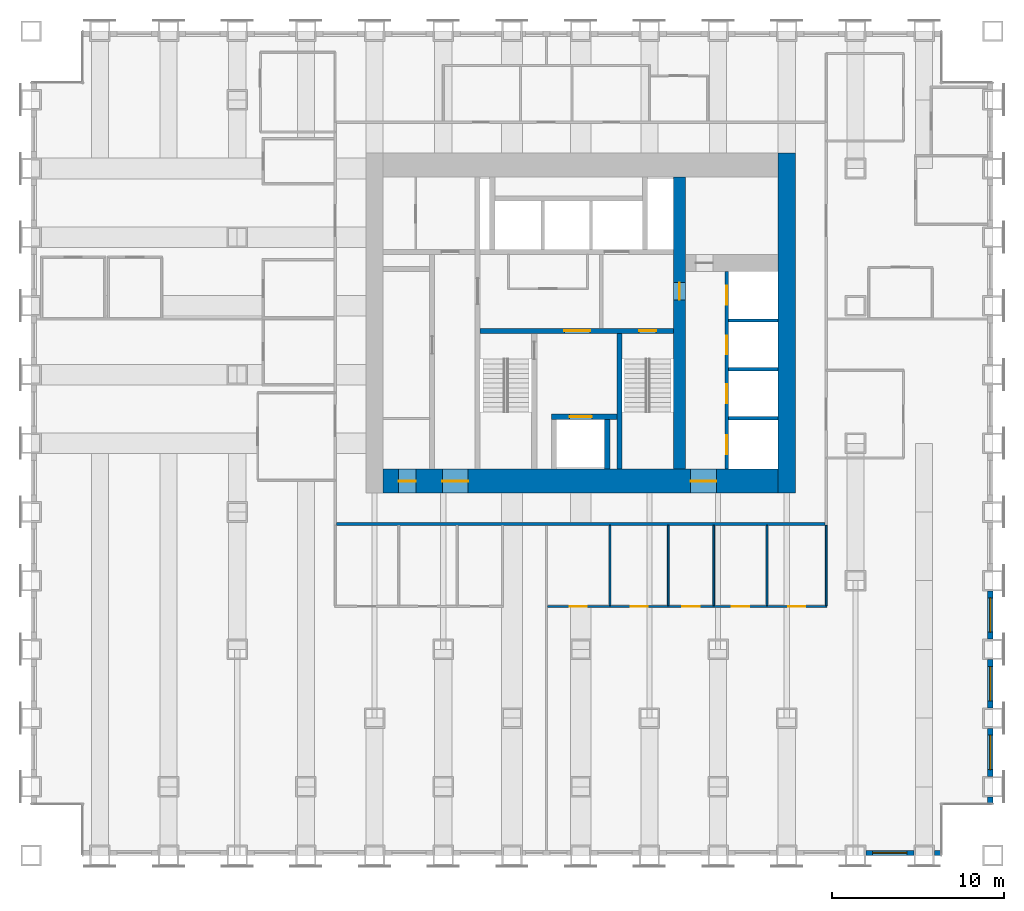
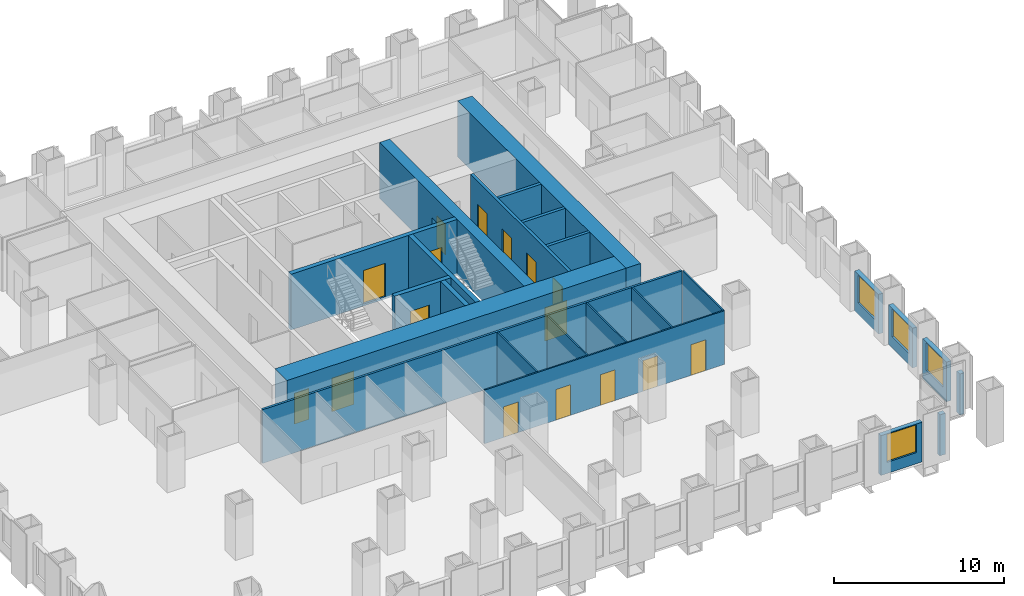
# One storey, part 9 of 14: 24 walls, 16 doors, 4 windows, 20 openings.
"""IFC4 building model written with IfcOpenShell, lengths in metres."""

from ifc_helpers import new_model, si_unit, direction, frame, frame_2d, origin, place, context, subcontext, project, spatial, rectangle, extrude, material, layer, layer_set, type_object, element, fill, save


model = new_model("IFC4")

# Units and contexts
model_context = context("Model", 3, precision=1e-05, world=origin(), true_north=direction((0.0, 1.0)))
body_context = subcontext(model_context, "Body", "Model", "MODEL_VIEW")
ifc_project = project(units=[si_unit("LENGTHUNIT", "METRE"), si_unit("AREAUNIT", "SQUARE_METRE"), si_unit("VOLUMEUNIT", "CUBIC_METRE"), si_unit("PLANEANGLEUNIT", "RADIAN"), si_unit("MASSUNIT", "GRAM", prefix="KILO")], contexts=[model_context])

# Site, building, storey
site_placement = place(None, origin())
site = spatial("IfcSite", under=ifc_project, at=site_placement, CompositionType="ELEMENT")
building_placement = place(site_placement, origin())
building = spatial("IfcBuilding", under=site, at=building_placement, Name="Rimbunsela Tower", CompositionType="ELEMENT")
storey_placement = place(building_placement, frame((0.0, 0.0, 15.0)))
storey = spatial("IfcBuildingStorey", under=building, at=storey_placement, Name="L03", CompositionType="ELEMENT", Elevation=15.0)

# Wall, openings, doors
ifc_material_1 = material(Name="Concrete fc' 80 MPa", Category="concrete")
ifc_layer_1 = layer(ifc_material_1, 0.300048828125)
ifc_layer_set_1 = layer_set([ifc_layer_1], Name="Core internal wall 300")
wall_type_1 = type_object("IfcWallType", Name="Core internal wall 300", PredefinedType="SHEAR", material=ifc_layer_set_1)
wall_1_placement = place(storey_placement, frame((24.14990234375, 26.550048828125, -0.14990234375), z_axis=(0.0, 0.0, 1.0), x_axis=(1.0, 0.0, 0.0)))
wall_1 = element("IfcWall", 1, at=wall_1_placement, inside=storey, type_object=wall_type_1, Name="Core wall lobby south", PredefinedType="SHEAR", context=body_context, shape_type="SweptSolid", body=[
    extrude(rectangle(XDim=11.25, YDim=0.300048828125, at=frame_2d((5.625, 0.0))), origin(), (0.0, 0.0, 1.0), 4.0),
])
opening_1_placement = place(wall_1_placement, frame((9.25, 0.0, 0.14990234375)))
opening_1 = element("IfcOpeningElement", 2, at=opening_1_placement, cuts=wall_1, Name="Opening D01", PredefinedType="OPENING", context=body_context, shape_type="SweptSolid", body=[
    extrude(rectangle(XDim=1.0, YDim=2.199951171875, at=frame_2d((0.5, 1.10009765625))), frame((0.0, 0.159912109375, 0.0), z_axis=(0.0, -1.0, 0.0), x_axis=(1.0, 0.0, 0.0)), (0.0, 0.0, 1.0), 0.320068359375),
])
opening_2_placement = place(wall_1_placement, frame((4.89990234375, 0.0, 0.14990234375)))
opening_2 = element("IfcOpeningElement", 3, at=opening_2_placement, cuts=wall_1, Name="Opening D03", PredefinedType="OPENING", context=body_context, shape_type="SweptSolid", body=[
    extrude(rectangle(XDim=1.5, YDim=2.39990234375, at=frame_2d((0.75, 1.199951171875))), frame((0.0, 0.159912109375, 0.0), z_axis=(0.0, -1.0, 0.0), x_axis=(1.0, 0.0, 0.0)), (0.0, 0.0, 1.0), 0.320068359375),
])
ifc_material_2 = material(Name="Steel door, fire rated", Category="steel")
door_type_1 = type_object("IfcDoorType", Name="Core lobby door 1500", OperationType="DOUBLE_DOOR_DOUBLE_SWING", PredefinedType="DOOR", material=ifc_material_2)
door_1_placement = place(opening_2_placement, origin())
door_1 = element("IfcDoor", 4, at=door_1_placement, inside=storey, type_object=door_type_1, Name="Firefighting lobby door", OperationType="DOUBLE_DOOR_DOUBLE_SWING", OverallHeight=2.39990234375, OverallWidth=1.5, PredefinedType="DOOR", context=body_context, shape_type="SweptSolid", body=[
    extrude(rectangle(XDim=1.5, YDim=2.39990234375, at=frame_2d((0.75, 1.199951171875))), frame((0.0, 0.02490234375, 0.0), z_axis=(0.0, -1.0, 0.0), x_axis=(1.0, 0.0, 0.0)), (0.0, 0.0, 1.0), 0.050048828125),
])
fill(opening_2, door_1)
ifc_material_3 = material(Name="Steel door, fire rated", Category="steel")
door_type_2 = type_object("IfcDoorType", Name="Stair door 1000", OperationType="SINGLE_SWING_RIGHT", PredefinedType="DOOR", material=ifc_material_3)
door_2_placement = place(opening_1_placement, frame((1.0, 0.0, 0.0), z_axis=(0.0, 0.0, 1.0), x_axis=(-1.0, 0.0, 0.0)))
door_2 = element("IfcDoor", 5, at=door_2_placement, inside=storey, type_object=door_type_2, Name="Stair B door", OperationType="SINGLE_SWING_RIGHT", OverallHeight=2.199951171875, OverallWidth=1.0, PredefinedType="DOOR", context=body_context, shape_type="SweptSolid", body=[
    extrude(rectangle(XDim=1.0, YDim=2.199951171875, at=frame_2d((0.5, 1.10009765625))), frame((0.0, 0.02490234375, 0.0), z_axis=(0.0, -1.0, 0.0), x_axis=(1.0, 0.0, 0.0)), (0.0, 0.0, 1.0), 0.050048828125),
])
fill(opening_1, door_2)

# Walls
wall_2_placement = place(storey_placement, frame((32.25, 18.5, -0.14990234375), z_axis=(0.0, 0.0, 1.0), x_axis=(0.0, 1.0, 0.0)))
element("IfcWall", 6, at=wall_2_placement, inside=storey, type_object=wall_type_1, Name="Stair B enclosure", PredefinedType="SHEAR", context=body_context, shape_type="SweptSolid", body=[
    extrude(rectangle(XDim=7.89990234375, YDim=0.300048828125, at=frame_2d((3.949951171875, 0.0))), origin(), (0.0, 0.0, 1.0), 4.0),
])
wall_3_placement = place(storey_placement, frame((31.550048828125, 18.5, -0.14990234375), z_axis=(0.0, 0.0, 1.0), x_axis=(0.0, 1.0, 0.0)))
element("IfcWall", 7, at=wall_3_placement, inside=storey, type_object=wall_type_1, Name="Firefighting lift shaft east", PredefinedType="SHEAR", context=body_context, shape_type="SweptSolid", body=[
    extrude(rectangle(XDim=2.89990234375, YDim=0.300048828125, at=frame_2d((1.449951171875, 0.0))), origin(), (0.0, 0.0, 1.0), 4.0),
])

# Wall, opening, door
wall_4_placement = place(storey_placement, frame((28.300048828125, 21.550048828125, -0.14990234375), z_axis=(0.0, 0.0, 1.0), x_axis=(1.0, 0.0, 0.0)))
wall_4 = element("IfcWall", 8, at=wall_4_placement, inside=storey, type_object=wall_type_1, Name="Firefighting lift shaft front", PredefinedType="SHEAR", context=body_context, shape_type="SweptSolid", body=[
    extrude(rectangle(XDim=3.800048828125, YDim=0.300048828125, at=frame_2d((1.89990234375, 0.0))), origin(), (0.0, 0.0, 1.0), 4.0),
])
opening_3_placement = place(wall_4_placement, frame((1.050048828125, 0.0, 0.14990234375)))
opening_3 = element("IfcOpeningElement", 9, at=opening_3_placement, cuts=wall_4, Name="Opening LD2", PredefinedType="OPENING", context=body_context, shape_type="SweptSolid", body=[
    extrude(rectangle(XDim=1.300048828125, YDim=2.39990234375, at=frame_2d((0.64990234375, 1.199951171875))), frame((0.0, 0.159912109375, 0.0), z_axis=(0.0, -1.0, 0.0), x_axis=(1.0, 0.0, 0.0)), (0.0, 0.0, 1.0), 0.320068359375),
])
ifc_material_4 = material(Name="Steel door, fire rated", Category="steel")
door_type_3 = type_object("IfcDoorType", Name="Lift landing door 1300", OperationType="DOUBLE_DOOR_SLIDING", PredefinedType="DOOR", material=ifc_material_4)
door_3_placement = place(opening_3_placement, origin())
door_3 = element("IfcDoor", 10, at=door_3_placement, inside=storey, type_object=door_type_3, Name="Lift landing door FL1", OperationType="DOUBLE_DOOR_SLIDING", OverallHeight=2.39990234375, OverallWidth=1.300048828125, PredefinedType="DOOR", context=body_context, shape_type="SweptSolid", body=[
    extrude(rectangle(XDim=1.300048828125, YDim=2.39990234375, at=frame_2d((0.64990234375, 1.199951171875))), frame((0.0, 0.02490234375, 0.0), z_axis=(0.0, -1.0, 0.0), x_axis=(1.0, 0.0, 0.0)), (0.0, 0.0, 1.0), 0.050048828125),
])
fill(opening_3, door_3)

# Wall
ifc_material_5 = material(Name="Concrete fc' 80 MPa", Category="concrete")
ifc_layer_2 = layer(ifc_material_5, 1.0)
ifc_layer_set_2 = layer_set([ifc_layer_2], Name="Core wall 1000")
wall_type_2 = type_object("IfcWallType", Name="Core wall 1000", PredefinedType="SHEAR", material=ifc_layer_set_2)
wall_5_placement = place(storey_placement, frame((42.0, 17.10009765625, -0.14990234375), z_axis=(0.0, 0.0, 1.0), x_axis=(0.0, 1.0, 0.0)))
element("IfcWall", 11, at=wall_5_placement, inside=storey, type_object=wall_type_2, Name="Core wall east", PredefinedType="SHEAR", context=body_context, shape_type="SweptSolid", body=[
    extrude(rectangle(XDim=19.7998046875, YDim=1.0, at=frame_2d((9.89990234375, 0.0))), origin(), (0.0, 0.0, 1.0), 4.0),
])

# Wall, openings, doors
ifc_material_6 = material(Name="Concrete fc' 80 MPa", Category="concrete")
ifc_layer_3 = layer(ifc_material_6, 1.39990234375)
ifc_layer_set_3 = layer_set([ifc_layer_3], Name="Core wall 1400")
wall_type_3 = type_object("IfcWallType", Name="Core wall 1400", PredefinedType="SHEAR", material=ifc_layer_set_3)
wall_6_placement = place(storey_placement, frame((18.5, 17.800048828125, -0.14990234375), z_axis=(0.0, 0.0, 1.0), x_axis=(1.0, 0.0, 0.0)))
wall_6 = element("IfcWall", 12, at=wall_6_placement, inside=storey, type_object=wall_type_3, Name="Core wall south", PredefinedType="SHEAR", context=body_context, shape_type="SweptSolid", body=[
    extrude(rectangle(XDim=23.0, YDim=1.39990234375, at=frame_2d((11.5, 0.0))), origin(), (0.0, 0.0, 1.0), 4.0),
])
opening_4_placement = place(wall_6_placement, frame((3.449951171875, 0.0, 0.14990234375)))
opening_4 = element("IfcOpeningElement", 13, at=opening_4_placement, cuts=wall_6, Name="Opening D03", PredefinedType="OPENING", context=body_context, shape_type="SweptSolid", body=[
    extrude(rectangle(XDim=1.5, YDim=2.39990234375, at=frame_2d((0.75, 1.199951171875))), frame((0.0, 0.7099609375, 0.0), z_axis=(0.0, -1.0, 0.0), x_axis=(1.0, 0.0, 0.0)), (0.0, 0.0, 1.0), 1.419921875),
])
opening_5_placement = place(wall_6_placement, frame((17.89990234375, 0.0, 0.14990234375)))
opening_5 = element("IfcOpeningElement", 14, at=opening_5_placement, cuts=wall_6, Name="Opening D03", PredefinedType="OPENING", context=body_context, shape_type="SweptSolid", body=[
    extrude(rectangle(XDim=1.5, YDim=2.39990234375, at=frame_2d((0.75, 1.199951171875))), frame((0.0, 0.7099609375, 0.0), z_axis=(0.0, -1.0, 0.0), x_axis=(1.0, 0.0, 0.0)), (0.0, 0.0, 1.0), 1.419921875),
])
opening_6_placement = place(wall_6_placement, frame((0.89990234375, 0.0, 0.14990234375)))
opening_6 = element("IfcOpeningElement", 15, at=opening_6_placement, cuts=wall_6, Name="Opening D19", PredefinedType="OPENING", context=body_context, shape_type="SweptSolid", body=[
    extrude(rectangle(XDim=1.0, YDim=2.199951171875, at=frame_2d((0.5, 1.10009765625))), frame((0.0, 0.7099609375, 0.0), z_axis=(0.0, -1.0, 0.0), x_axis=(1.0, 0.0, 0.0)), (0.0, 0.0, 1.0), 1.419921875),
])
door_4_placement = place(opening_4_placement, origin())
door_4 = element("IfcDoor", 16, at=door_4_placement, inside=storey, type_object=door_type_1, Name="Core door south", OperationType="DOUBLE_DOOR_DOUBLE_SWING", OverallHeight=2.39990234375, OverallWidth=1.5, PredefinedType="DOOR", context=body_context, shape_type="SweptSolid", body=[
    extrude(rectangle(XDim=1.5, YDim=2.39990234375, at=frame_2d((0.75, 1.199951171875))), frame((0.0, 0.02490234375, 0.0), z_axis=(0.0, -1.0, 0.0), x_axis=(1.0, 0.0, 0.0)), (0.0, 0.0, 1.0), 0.050048828125),
])
fill(opening_4, door_4)
door_5_placement = place(opening_5_placement, origin())
door_5 = element("IfcDoor", 17, at=door_5_placement, inside=storey, type_object=door_type_1, Name="Core door south-east", OperationType="DOUBLE_DOOR_DOUBLE_SWING", OverallHeight=2.39990234375, OverallWidth=1.5, PredefinedType="DOOR", context=body_context, shape_type="SweptSolid", body=[
    extrude(rectangle(XDim=1.5, YDim=2.39990234375, at=frame_2d((0.75, 1.199951171875))), frame((0.0, 0.02490234375, 0.0), z_axis=(0.0, -1.0, 0.0), x_axis=(1.0, 0.0, 0.0)), (0.0, 0.0, 1.0), 0.050048828125),
])
fill(opening_5, door_5)
ifc_material_7 = material(Name="Steel door, fire rated", Category="steel")
door_type_4 = type_object("IfcDoorType", Name="Service door 1000 fire rated", OperationType="SINGLE_SWING_LEFT", PredefinedType="DOOR", material=ifc_material_7)
door_6_placement = place(opening_6_placement, origin())
door_6 = element("IfcDoor", 18, at=door_6_placement, inside=storey, type_object=door_type_4, Name="Electrical room door", OperationType="SINGLE_SWING_LEFT", OverallHeight=2.199951171875, OverallWidth=1.0, PredefinedType="DOOR", context=body_context, shape_type="SweptSolid", body=[
    extrude(rectangle(XDim=1.0, YDim=2.199951171875, at=frame_2d((0.5, 1.10009765625))), frame((0.0, 0.02490234375, 0.0), z_axis=(0.0, -1.0, 0.0), x_axis=(1.0, 0.0, 0.0)), (0.0, 0.0, 1.0), 0.050048828125),
])
fill(opening_6, door_6)

# Wall, opening, door
ifc_material_8 = material(Name="Concrete fc' 80 MPa", Category="concrete")
ifc_layer_4 = layer(ifc_material_8, 0.699951171875)
ifc_layer_set_4 = layer_set([ifc_layer_4], Name="Core wall 700 east")
wall_type_4 = type_object("IfcWallType", Name="Core wall 700 east", PredefinedType="SHEAR", material=ifc_layer_set_4)
wall_7_placement = place(storey_placement, frame((35.75, 18.5, -0.14990234375), z_axis=(0.0, 0.0, 1.0), x_axis=(0.0, 1.0, 0.0)))
wall_7 = element("IfcWall", 19, at=wall_7_placement, inside=storey, type_object=wall_type_4, Name="Core wall low-rise bank", PredefinedType="SHEAR", context=body_context, shape_type="SweptSolid", body=[
    extrude(rectangle(XDim=17.0, YDim=0.699951171875, at=frame_2d((8.5, 0.0))), origin(), (0.0, 0.0, 1.0), 4.0),
])
opening_7_placement = place(wall_7_placement, frame((9.85009765625, 0.0, 0.14990234375)))
opening_7 = element("IfcOpeningElement", 20, at=opening_7_placement, cuts=wall_7, Name="Opening D01", PredefinedType="OPENING", context=body_context, shape_type="SweptSolid", body=[
    extrude(rectangle(XDim=1.0, YDim=2.199951171875, at=frame_2d((0.5, 1.10009765625))), frame((0.0, 0.35986328125, 0.0), z_axis=(0.0, -1.0, 0.0), x_axis=(1.0, 0.0, 0.0)), (0.0, 0.0, 1.0), 0.719970703125),
])
door_7_placement = place(opening_7_placement, origin())
door_7 = element("IfcDoor", 21, at=door_7_placement, inside=storey, type_object=door_type_2, Name="Firefighting lobby 2 door", OperationType="SINGLE_SWING_RIGHT", OverallHeight=2.199951171875, OverallWidth=1.0, PredefinedType="DOOR", context=body_context, shape_type="SweptSolid", body=[
    extrude(rectangle(XDim=1.0, YDim=2.199951171875, at=frame_2d((0.5, 1.10009765625))), frame((0.0, 0.02490234375, 0.0), z_axis=(0.0, -1.0, 0.0), x_axis=(1.0, 0.0, 0.0)), (0.0, 0.0, 1.0), 0.050048828125),
])
fill(opening_7, door_7)

# Wall, openings, doors
ifc_material_9 = material(Name="Concrete blockwork", Category="masonry")
ifc_layer_5 = layer(ifc_material_9, 0.199951171875)
ifc_layer_set_5 = layer_set([ifc_layer_5], Name="Lift shaft wall 200")
wall_type_5 = type_object("IfcWallType", Name="Lift shaft wall 200", PredefinedType="SOLIDWALL", material=ifc_layer_set_5)
wall_8_placement = place(storey_placement, frame((38.5, 18.5, -0.14990234375), z_axis=(0.0, 0.0, 1.0), x_axis=(0.0, 1.0, 0.0)))
wall_8 = element("IfcWall", 22, at=wall_8_placement, inside=storey, type_object=wall_type_5, Name="Lift shaft front east", PredefinedType="SOLIDWALL", context=body_context, shape_type="SweptSolid", body=[
    extrude(rectangle(XDim=11.5, YDim=0.199951171875, at=frame_2d((5.75, 0.0))), origin(), (0.0, 0.0, 1.0), 4.0),
])
opening_8_placement = place(wall_8_placement, frame((0.875, 0.0, 0.14990234375)))
opening_8 = element("IfcOpeningElement", 23, at=opening_8_placement, cuts=wall_8, Name="Opening LD1", PredefinedType="OPENING", context=body_context, shape_type="SweptSolid", body=[
    extrude(rectangle(XDim=1.10009765625, YDim=2.199951171875, at=frame_2d((0.550048828125, 1.10009765625))), frame((0.0, 0.10986328125, 0.0), z_axis=(0.0, -1.0, 0.0), x_axis=(1.0, 0.0, 0.0)), (0.0, 0.0, 1.0), 0.219970703125),
])
opening_9_placement = place(wall_8_placement, frame((3.824951171875, 0.0, 0.14990234375)))
opening_9 = element("IfcOpeningElement", 24, at=opening_9_placement, cuts=wall_8, Name="Opening LD1", PredefinedType="OPENING", context=body_context, shape_type="SweptSolid", body=[
    extrude(rectangle(XDim=1.10009765625, YDim=2.199951171875, at=frame_2d((0.550048828125, 1.10009765625))), frame((0.0, 0.10986328125, 0.0), z_axis=(0.0, -1.0, 0.0), x_axis=(1.0, 0.0, 0.0)), (0.0, 0.0, 1.0), 0.219970703125),
])
opening_10_placement = place(wall_8_placement, frame((6.675048828125, 0.0, 0.14990234375)))
opening_10 = element("IfcOpeningElement", 25, at=opening_10_placement, cuts=wall_8, Name="Opening LD1", PredefinedType="OPENING", context=body_context, shape_type="SweptSolid", body=[
    extrude(rectangle(XDim=1.10009765625, YDim=2.199951171875, at=frame_2d((0.550048828125, 1.10009765625))), frame((0.0, 0.10986328125, 0.0), z_axis=(0.0, -1.0, 0.0), x_axis=(1.0, 0.0, 0.0)), (0.0, 0.0, 1.0), 0.219970703125),
])
opening_11_placement = place(wall_8_placement, frame((9.574951171875, 0.0, 0.14990234375)))
opening_11 = element("IfcOpeningElement", 26, at=opening_11_placement, cuts=wall_8, Name="Opening LD1", PredefinedType="OPENING", context=body_context, shape_type="SweptSolid", body=[
    extrude(rectangle(XDim=1.10009765625, YDim=2.199951171875, at=frame_2d((0.550048828125, 1.10009765625))), frame((0.0, 0.10986328125, 0.0), z_axis=(0.0, -1.0, 0.0), x_axis=(1.0, 0.0, 0.0)), (0.0, 0.0, 1.0), 0.219970703125),
])
ifc_material_10 = material(Name="Steel door, fire rated", Category="steel")
door_type_5 = type_object("IfcDoorType", Name="Lift landing door 1100", OperationType="DOUBLE_DOOR_SLIDING", PredefinedType="DOOR", material=ifc_material_10)
door_8_placement = place(opening_8_placement, origin())
door_8 = element("IfcDoor", 27, at=door_8_placement, inside=storey, type_object=door_type_5, Name="Lift landing door LL1", OperationType="DOUBLE_DOOR_SLIDING", OverallHeight=2.199951171875, OverallWidth=1.10009765625, PredefinedType="DOOR", context=body_context, shape_type="SweptSolid", body=[
    extrude(rectangle(XDim=1.10009765625, YDim=2.199951171875, at=frame_2d((0.550048828125, 1.10009765625))), frame((0.0, 0.02490234375, 0.0), z_axis=(0.0, -1.0, 0.0), x_axis=(1.0, 0.0, 0.0)), (0.0, 0.0, 1.0), 0.050048828125),
])
fill(opening_8, door_8)
door_9_placement = place(opening_9_placement, origin())
door_9 = element("IfcDoor", 28, at=door_9_placement, inside=storey, type_object=door_type_5, Name="Lift landing door LL2", OperationType="DOUBLE_DOOR_SLIDING", OverallHeight=2.199951171875, OverallWidth=1.10009765625, PredefinedType="DOOR", context=body_context, shape_type="SweptSolid", body=[
    extrude(rectangle(XDim=1.10009765625, YDim=2.199951171875, at=frame_2d((0.550048828125, 1.10009765625))), frame((0.0, 0.02490234375, 0.0), z_axis=(0.0, -1.0, 0.0), x_axis=(1.0, 0.0, 0.0)), (0.0, 0.0, 1.0), 0.050048828125),
])
fill(opening_9, door_9)
door_10_placement = place(opening_10_placement, origin())
door_10 = element("IfcDoor", 29, at=door_10_placement, inside=storey, type_object=door_type_5, Name="Lift landing door LL3", OperationType="DOUBLE_DOOR_SLIDING", OverallHeight=2.199951171875, OverallWidth=1.10009765625, PredefinedType="DOOR", context=body_context, shape_type="SweptSolid", body=[
    extrude(rectangle(XDim=1.10009765625, YDim=2.199951171875, at=frame_2d((0.550048828125, 1.10009765625))), frame((0.0, 0.02490234375, 0.0), z_axis=(0.0, -1.0, 0.0), x_axis=(1.0, 0.0, 0.0)), (0.0, 0.0, 1.0), 0.050048828125),
])
fill(opening_10, door_10)
door_11_placement = place(opening_11_placement, origin())
door_11 = element("IfcDoor", 30, at=door_11_placement, inside=storey, type_object=door_type_5, Name="Lift landing door LL4", OperationType="DOUBLE_DOOR_SLIDING", OverallHeight=2.199951171875, OverallWidth=1.10009765625, PredefinedType="DOOR", context=body_context, shape_type="SweptSolid", body=[
    extrude(rectangle(XDim=1.10009765625, YDim=2.199951171875, at=frame_2d((0.550048828125, 1.10009765625))), frame((0.0, 0.02490234375, 0.0), z_axis=(0.0, -1.0, 0.0), x_axis=(1.0, 0.0, 0.0)), (0.0, 0.0, 1.0), 0.050048828125),
])
fill(opening_11, door_11)

# Walls
for number, where, z_axis, x_axis, name in (
    (31, (38.60009765625, 21.449951171875, -0.14990234375), (0.0, 0.0, 1.0), (1.0, 0.0, 0.0), "Lift shaft separation"),
    (32, (38.60009765625, 24.300048828125, -0.14990234375), (0.0, 0.0, 1.0), (1.0, 0.0, 0.0), "Lift shaft separation"),
    (33, (38.60009765625, 27.14990234375, -0.14990234375), (0.0, 0.0, 1.0), (1.0, 0.0, 0.0), "Lift shaft separation"),
):
    element("IfcWall", number, at=place(storey_placement, frame(where, z_axis=z_axis, x_axis=x_axis)), inside=storey, type_object=wall_type_5, Name=name, PredefinedType="SOLIDWALL", context=body_context, shape_type="SweptSolid", body=[
        extrude(rectangle(XDim=2.89990234375, YDim=0.199951171875, at=frame_2d((1.449951171875, 0.0))), origin(), (0.0, 0.0, 1.0), 4.0),
    ])

# Wall, openings, doors
ifc_material_11 = material(Name="Gypsum board on steel studs", Category="steel")
ifc_layer_6 = layer(ifc_material_11, 0.10009765625)
ifc_layer_set_6 = layer_set([ifc_layer_6], Name="Office partition 100")
wall_type_6 = type_object("IfcWallType", Name="Office partition 100", PredefinedType="PARTITIONING", material=ifc_layer_set_6)
wall_9_placement = place(storey_placement, frame((28.06103515625, 10.5, 0.0), z_axis=(0.0, 0.0, 1.0), x_axis=(1.0, 0.0, 0.0)))
wall_9 = element("IfcWall", 34, at=wall_9_placement, inside=storey, type_object=wall_type_6, Name="Office partition", PredefinedType="PARTITIONING", context=body_context, shape_type="SweptSolid", body=[
    extrude(rectangle(XDim=16.2890625, YDim=0.10009765625, at=frame_2d((8.14453125, 0.0))), origin(), (0.0, 0.0, 1.0), 3.85009765625),
])
opening_12_placement = place(wall_9_placement, frame((1.2900390625, 0.0, 0.0)))
opening_12 = element("IfcOpeningElement", 35, at=opening_12_placement, cuts=wall_9, Name="Opening D17", PredefinedType="OPENING", context=body_context, shape_type="SweptSolid", body=[
    extrude(rectangle(XDim=1.0, YDim=2.199951171875, at=frame_2d((0.5, 1.10009765625))), frame((0.0, 0.06005859375, 0.0), z_axis=(0.0, -1.0, 0.0), x_axis=(1.0, 0.0, 0.0)), (0.0, 0.0, 1.0), 0.1201171875),
])
opening_13_placement = place(wall_9_placement, frame((4.840087890625, 0.0, 0.0)))
opening_13 = element("IfcOpeningElement", 36, at=opening_13_placement, cuts=wall_9, Name="Opening D16", PredefinedType="OPENING", context=body_context, shape_type="SweptSolid", body=[
    extrude(rectangle(XDim=1.0, YDim=2.199951171875, at=frame_2d((0.5, 1.10009765625))), frame((0.0, 0.06005859375, 0.0), z_axis=(0.0, -1.0, 0.0), x_axis=(1.0, 0.0, 0.0)), (0.0, 0.0, 1.0), 0.1201171875),
])
opening_14_placement = place(wall_9_placement, frame((7.864990234375, 0.0, 0.0)))
opening_14 = element("IfcOpeningElement", 37, at=opening_14_placement, cuts=wall_9, Name="Opening D16", PredefinedType="OPENING", context=body_context, shape_type="SweptSolid", body=[
    extrude(rectangle(XDim=1.0, YDim=2.199951171875, at=frame_2d((0.5, 1.10009765625))), frame((0.0, 0.06005859375, 0.0), z_axis=(0.0, -1.0, 0.0), x_axis=(1.0, 0.0, 0.0)), (0.0, 0.0, 1.0), 0.1201171875),
])
opening_15_placement = place(wall_9_placement, frame((10.739990234375, 0.0, 0.0)))
opening_15 = element("IfcOpeningElement", 38, at=opening_15_placement, cuts=wall_9, Name="Opening D16", PredefinedType="OPENING", context=body_context, shape_type="SweptSolid", body=[
    extrude(rectangle(XDim=1.0, YDim=2.199951171875, at=frame_2d((0.5, 1.10009765625))), frame((0.0, 0.06005859375, 0.0), z_axis=(0.0, -1.0, 0.0), x_axis=(1.0, 0.0, 0.0)), (0.0, 0.0, 1.0), 0.1201171875),
])
opening_16_placement = place(wall_9_placement, frame((14.014404296875, 0.0, 0.0)))
opening_16 = element("IfcOpeningElement", 39, at=opening_16_placement, cuts=wall_9, Name="Opening D16", PredefinedType="OPENING", context=body_context, shape_type="SweptSolid", body=[
    extrude(rectangle(XDim=1.0, YDim=2.199951171875, at=frame_2d((0.5, 1.10009765625))), frame((0.0, 0.06005859375, 0.0), z_axis=(0.0, -1.0, 0.0), x_axis=(1.0, 0.0, 0.0)), (0.0, 0.0, 1.0), 0.1201171875),
])
ifc_material_12 = material(Name="Glazed aluminium door", Category="aluminium")
door_type_6 = type_object("IfcDoorType", Name="Meeting room door 1000 glazed", OperationType="SINGLE_SWING_RIGHT", PredefinedType="DOOR", material=ifc_material_12)
door_12_placement = place(opening_12_placement, origin())
door_12 = element("IfcDoor", 40, at=door_12_placement, inside=storey, type_object=door_type_6, Name="Meeting room door", OperationType="SINGLE_SWING_RIGHT", OverallHeight=2.199951171875, OverallWidth=1.0, PredefinedType="DOOR", context=body_context, shape_type="SweptSolid", body=[
    extrude(rectangle(XDim=1.0, YDim=2.199951171875, at=frame_2d((0.5, 1.10009765625))), frame((0.0, 0.02490234375, 0.0), z_axis=(0.0, -1.0, 0.0), x_axis=(1.0, 0.0, 0.0)), (0.0, 0.0, 1.0), 0.050048828125),
])
fill(opening_12, door_12)
ifc_material_13 = material(Name="Timber door", Category="wood")
door_type_7 = type_object("IfcDoorType", Name="Office door 1000", OperationType="SINGLE_SWING_LEFT", PredefinedType="DOOR", material=ifc_material_13)
door_13_placement = place(opening_13_placement, origin())
door_13 = element("IfcDoor", 41, at=door_13_placement, inside=storey, type_object=door_type_7, Name="Office door", OperationType="SINGLE_SWING_LEFT", OverallHeight=2.199951171875, OverallWidth=1.0, PredefinedType="DOOR", context=body_context, shape_type="SweptSolid", body=[
    extrude(rectangle(XDim=1.0, YDim=2.199951171875, at=frame_2d((0.5, 1.10009765625))), frame((0.0, 0.02490234375, 0.0), z_axis=(0.0, -1.0, 0.0), x_axis=(1.0, 0.0, 0.0)), (0.0, 0.0, 1.0), 0.050048828125),
])
fill(opening_13, door_13)
door_14_placement = place(opening_14_placement, origin())
door_14 = element("IfcDoor", 42, at=door_14_placement, inside=storey, type_object=door_type_7, Name="Office door", OperationType="SINGLE_SWING_LEFT", OverallHeight=2.199951171875, OverallWidth=1.0, PredefinedType="DOOR", context=body_context, shape_type="SweptSolid", body=[
    extrude(rectangle(XDim=1.0, YDim=2.199951171875, at=frame_2d((0.5, 1.10009765625))), frame((0.0, 0.02490234375, 0.0), z_axis=(0.0, -1.0, 0.0), x_axis=(1.0, 0.0, 0.0)), (0.0, 0.0, 1.0), 0.050048828125),
])
fill(opening_14, door_14)
door_15_placement = place(opening_15_placement, origin())
door_15 = element("IfcDoor", 43, at=door_15_placement, inside=storey, type_object=door_type_7, Name="Office door", OperationType="SINGLE_SWING_LEFT", OverallHeight=2.199951171875, OverallWidth=1.0, PredefinedType="DOOR", context=body_context, shape_type="SweptSolid", body=[
    extrude(rectangle(XDim=1.0, YDim=2.199951171875, at=frame_2d((0.5, 1.10009765625))), frame((0.0, 0.02490234375, 0.0), z_axis=(0.0, -1.0, 0.0), x_axis=(1.0, 0.0, 0.0)), (0.0, 0.0, 1.0), 0.050048828125),
])
fill(opening_15, door_15)
door_16_placement = place(opening_16_placement, origin())
door_16 = element("IfcDoor", 44, at=door_16_placement, inside=storey, type_object=door_type_7, Name="Office door", OperationType="SINGLE_SWING_LEFT", OverallHeight=2.199951171875, OverallWidth=1.0, PredefinedType="DOOR", context=body_context, shape_type="SweptSolid", body=[
    extrude(rectangle(XDim=1.0, YDim=2.199951171875, at=frame_2d((0.5, 1.10009765625))), frame((0.0, 0.02490234375, 0.0), z_axis=(0.0, -1.0, 0.0), x_axis=(1.0, 0.0, 0.0)), (0.0, 0.0, 1.0), 0.050048828125),
])
fill(opening_16, door_16)

# Walls
for number, where, z_axis, x_axis, name in (
    (45, (31.700927734375, 10.550048828125, 0.0), (0.0, 0.0, 1.0), (0.0, 1.0, 0.0), "Office partition"),
    (46, (35.10107421875, 10.550048828125, 0.0), (0.0, 0.0, 1.0), (0.0, 1.0, 0.0), "Office partition"),
    (47, (37.7509765625, 10.550048828125, 0.0), (0.0, 0.0, 1.0), (0.0, 1.0, 0.0), "Office partition"),
    (48, (40.85107421875, 10.550048828125, 0.0), (0.0, 0.0, 1.0), (0.0, 1.0, 0.0), "Office partition"),
    (49, (44.300048828125, 10.550048828125, 0.0), (0.0, 0.0, 1.0), (0.0, 1.0, 0.0), "Office partition"),
):
    element("IfcWall", number, at=place(storey_placement, frame(where, z_axis=z_axis, x_axis=x_axis)), inside=storey, type_object=wall_type_6, Name=name, PredefinedType="PARTITIONING", context=body_context, shape_type="SweptSolid", body=[
        extrude(rectangle(XDim=4.675048828125, YDim=0.10009765625, at=frame_2d((2.33740234375, 0.0))), origin(), (0.0, 0.0, 1.0), 3.85009765625),
    ])

# Wall, opening, window
ifc_material_14 = material(Name="Precast concrete fc' 35 MPa", Category="concrete")
ifc_layer_7 = layer(ifc_material_14, 0.300048828125)
ifc_layer_set_7 = layer_set([ifc_layer_7], Name="Precast concrete fc' 35 MPa")
wall_type_7 = type_object("IfcWallType", Name="Precast facade panel 300", PredefinedType="ELEMENTEDWALL", material=ifc_layer_set_7)
wall_10_placement = place(storey_placement, frame((46.60009765625, -3.85009765625, 0.0), z_axis=(0.0, 0.0, 1.0), x_axis=(1.0, 0.0, 0.0)))
wall_10 = element("IfcWall", 50, at=wall_10_placement, inside=storey, type_object=wall_type_7, Name="Facade panel S L03", PredefinedType="ELEMENTEDWALL", context=body_context, shape_type="SweptSolid", body=[
    extrude(rectangle(XDim=2.7998046875, YDim=0.300048828125, at=frame_2d((1.39990234375, 0.0))), origin(), (0.0, 0.0, 1.0), 2.85009765625),
])
opening_17_placement = place(wall_10_placement, frame((0.39990234375, 0.0, 0.800048828125)))
opening_17 = element("IfcOpeningElement", 51, at=opening_17_placement, cuts=wall_10, Name="Opening W1", PredefinedType="OPENING", context=body_context, shape_type="SweptSolid", body=[
    extrude(rectangle(XDim=2.0, YDim=2.0, at=frame_2d((1.0, 1.0))), frame((0.0, 0.159912109375, 0.0), z_axis=(0.0, -1.0, 0.0), x_axis=(1.0, 0.0, 0.0)), (0.0, 0.0, 1.0), 0.320068359375),
])
ifc_material_15 = material(Name="Clear glass in aluminium frame", Category="aluminium")
window_type = type_object("IfcWindowType", Name="Window W1 2000x2000", PartitioningType="DOUBLE_PANEL_VERTICAL", PredefinedType="WINDOW", material=ifc_material_15)
window_1_placement = place(opening_17_placement, origin())
window_1 = element("IfcWindow", 52, at=window_1_placement, inside=storey, type_object=window_type, Name="Window L03", OverallHeight=2.0, OverallWidth=2.0, PartitioningType="SINGLE_PANEL", PredefinedType="WINDOW", context=body_context, shape_type="SweptSolid", body=[
    extrude(rectangle(XDim=2.0, YDim=2.0, at=frame_2d((1.0, 1.0))), frame((0.0, 0.030029296875, 0.0), z_axis=(0.0, -1.0, 0.0), x_axis=(1.0, 0.0, 0.0)), (0.0, 0.0, 1.0), 0.06005859375),
])
fill(opening_17, window_1)

# Walls
for number, where, z_axis, x_axis, name in (
    (53, (50.60009765625, -3.85009765625, 0.0), (0.0, 0.0, 1.0), (1.0, 0.0, 0.0), "Facade panel S L03"),
    (54, (53.85009765625, -0.969970703125, 0.0), (0.0, 0.0, 1.0), (0.0, 1.0, 0.0), "Facade panel E L03"),
):
    element("IfcWall", number, at=place(storey_placement, frame(where, z_axis=z_axis, x_axis=x_axis)), inside=storey, type_object=wall_type_7, Name=name, PredefinedType="ELEMENTEDWALL", context=body_context, shape_type="SweptSolid", body=[
        extrude(rectangle(XDim=0.369873046875, YDim=0.300048828125, at=frame_2d((0.18505859375, 0.0))), origin(), (0.0, 0.0, 1.0), 2.949951171875),
    ])

# Wall, opening, window
wall_11_placement = place(storey_placement, frame((53.85009765625, 0.60009765625, 0.0), z_axis=(0.0, 0.0, 1.0), x_axis=(0.0, 1.0, 0.0)))
wall_11 = element("IfcWall", 55, at=wall_11_placement, inside=storey, type_object=wall_type_7, Name="Facade panel E L03", PredefinedType="ELEMENTEDWALL", context=body_context, shape_type="SweptSolid", body=[
    extrude(rectangle(XDim=2.7998046875, YDim=0.300048828125, at=frame_2d((1.39990234375, 0.0))), origin(), (0.0, 0.0, 1.0), 2.85009765625),
])
opening_18_placement = place(wall_11_placement, frame((0.39990234375, 0.0, 0.800048828125)))
opening_18 = element("IfcOpeningElement", 56, at=opening_18_placement, cuts=wall_11, Name="Opening W1", PredefinedType="OPENING", context=body_context, shape_type="SweptSolid", body=[
    extrude(rectangle(XDim=2.0, YDim=2.0, at=frame_2d((1.0, 1.0))), frame((0.0, 0.159912109375, 0.0), z_axis=(0.0, -1.0, 0.0), x_axis=(1.0, 0.0, 0.0)), (0.0, 0.0, 1.0), 0.320068359375),
])
window_2_placement = place(opening_18_placement, origin())
window_2 = element("IfcWindow", 57, at=window_2_placement, inside=storey, type_object=window_type, Name="Window L03", OverallHeight=2.0, OverallWidth=2.0, PartitioningType="SINGLE_PANEL", PredefinedType="WINDOW", context=body_context, shape_type="SweptSolid", body=[
    extrude(rectangle(XDim=2.0, YDim=2.0, at=frame_2d((1.0, 1.0))), frame((0.0, 0.030029296875, 0.0), z_axis=(0.0, -1.0, 0.0), x_axis=(1.0, 0.0, 0.0)), (0.0, 0.0, 1.0), 0.06005859375),
])
fill(opening_18, window_2)

wall_12_placement = place(storey_placement, frame((53.85009765625, 4.60009765625, 0.0), z_axis=(0.0, 0.0, 1.0), x_axis=(0.0, 1.0, 0.0)))
wall_12 = element("IfcWall", 58, at=wall_12_placement, inside=storey, type_object=wall_type_7, Name="Facade panel E L03", PredefinedType="ELEMENTEDWALL", context=body_context, shape_type="SweptSolid", body=[
    extrude(rectangle(XDim=2.7998046875, YDim=0.300048828125, at=frame_2d((1.39990234375, 0.0))), origin(), (0.0, 0.0, 1.0), 2.85009765625),
])
opening_19_placement = place(wall_12_placement, frame((0.39990234375, 0.0, 0.800048828125)))
opening_19 = element("IfcOpeningElement", 59, at=opening_19_placement, cuts=wall_12, Name="Opening W1", PredefinedType="OPENING", context=body_context, shape_type="SweptSolid", body=[
    extrude(rectangle(XDim=2.0, YDim=2.0, at=frame_2d((1.0, 1.0))), frame((0.0, 0.159912109375, 0.0), z_axis=(0.0, -1.0, 0.0), x_axis=(1.0, 0.0, 0.0)), (0.0, 0.0, 1.0), 0.320068359375),
])
window_3_placement = place(opening_19_placement, origin())
window_3 = element("IfcWindow", 60, at=window_3_placement, inside=storey, type_object=window_type, Name="Window L03", OverallHeight=2.0, OverallWidth=2.0, PartitioningType="SINGLE_PANEL", PredefinedType="WINDOW", context=body_context, shape_type="SweptSolid", body=[
    extrude(rectangle(XDim=2.0, YDim=2.0, at=frame_2d((1.0, 1.0))), frame((0.0, 0.030029296875, 0.0), z_axis=(0.0, -1.0, 0.0), x_axis=(1.0, 0.0, 0.0)), (0.0, 0.0, 1.0), 0.06005859375),
])
fill(opening_19, window_3)

wall_13_placement = place(storey_placement, frame((53.85009765625, 8.60009765625, 0.0), z_axis=(0.0, 0.0, 1.0), x_axis=(0.0, 1.0, 0.0)))
wall_13 = element("IfcWall", 61, at=wall_13_placement, inside=storey, type_object=wall_type_7, Name="Facade panel E L03", PredefinedType="ELEMENTEDWALL", context=body_context, shape_type="SweptSolid", body=[
    extrude(rectangle(XDim=2.7998046875, YDim=0.300048828125, at=frame_2d((1.39990234375, 0.0))), origin(), (0.0, 0.0, 1.0), 2.85009765625),
])
opening_20_placement = place(wall_13_placement, frame((0.39990234375, 0.0, 0.800048828125)))
opening_20 = element("IfcOpeningElement", 62, at=opening_20_placement, cuts=wall_13, Name="Opening W1", PredefinedType="OPENING", context=body_context, shape_type="SweptSolid", body=[
    extrude(rectangle(XDim=2.0, YDim=2.0, at=frame_2d((1.0, 1.0))), frame((0.0, 0.159912109375, 0.0), z_axis=(0.0, -1.0, 0.0), x_axis=(1.0, 0.0, 0.0)), (0.0, 0.0, 1.0), 0.320068359375),
])
window_4_placement = place(opening_20_placement, origin())
window_4 = element("IfcWindow", 63, at=window_4_placement, inside=storey, type_object=window_type, Name="Window L03", OverallHeight=2.0, OverallWidth=2.0, PartitioningType="SINGLE_PANEL", PredefinedType="WINDOW", context=body_context, shape_type="SweptSolid", body=[
    extrude(rectangle(XDim=2.0, YDim=2.0, at=frame_2d((1.0, 1.0))), frame((0.0, 0.030029296875, 0.0), z_axis=(0.0, -1.0, 0.0), x_axis=(1.0, 0.0, 0.0)), (0.0, 0.0, 1.0), 0.06005859375),
])
fill(opening_20, window_4)

# Wall
ifc_material_16 = material(Name="Fire-rated gypsum board on steel studs, EI 60", Category="steel")
ifc_layer_8 = layer(ifc_material_16, 0.14990234375)
ifc_layer_set_8 = layer_set([ifc_layer_8], Name="Rated corridor wall 150")
wall_type_8 = type_object("IfcWallType", Name="Rated corridor wall 150", PredefinedType="PARTITIONING", material=ifc_layer_set_8)
wall_14_placement = place(storey_placement, frame((15.77490234375, 15.300048828125, 0.0), z_axis=(0.0, 0.0, 1.0), x_axis=(1.0, 0.0, 0.0)))
element("IfcWall", 64, at=wall_14_placement, inside=storey, type_object=wall_type_8, Name="Corridor wall south", PredefinedType="PARTITIONING", context=body_context, shape_type="SweptSolid", body=[
    extrude(rectangle(XDim=28.4501953125, YDim=0.14990234375, at=frame_2d((14.22509765625, 0.0))), origin(), (0.0, 0.0, 1.0), 3.85009765625),
])

save(model, "model.ifc")
